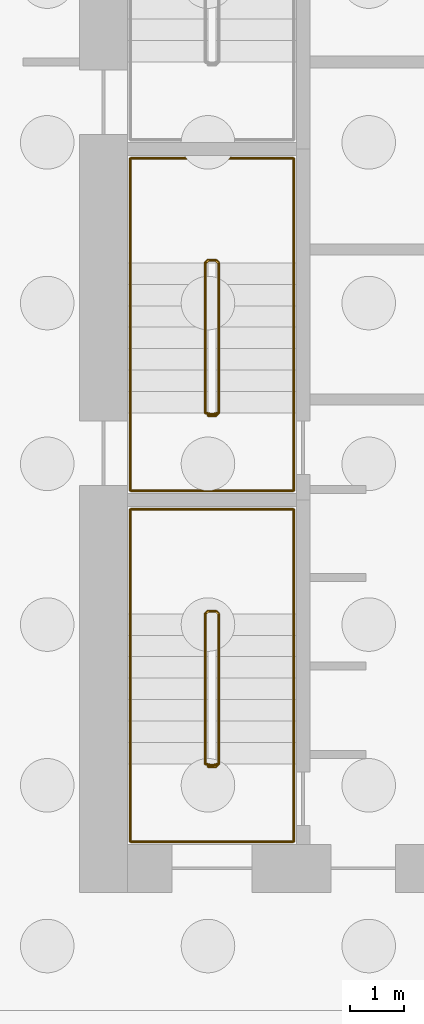
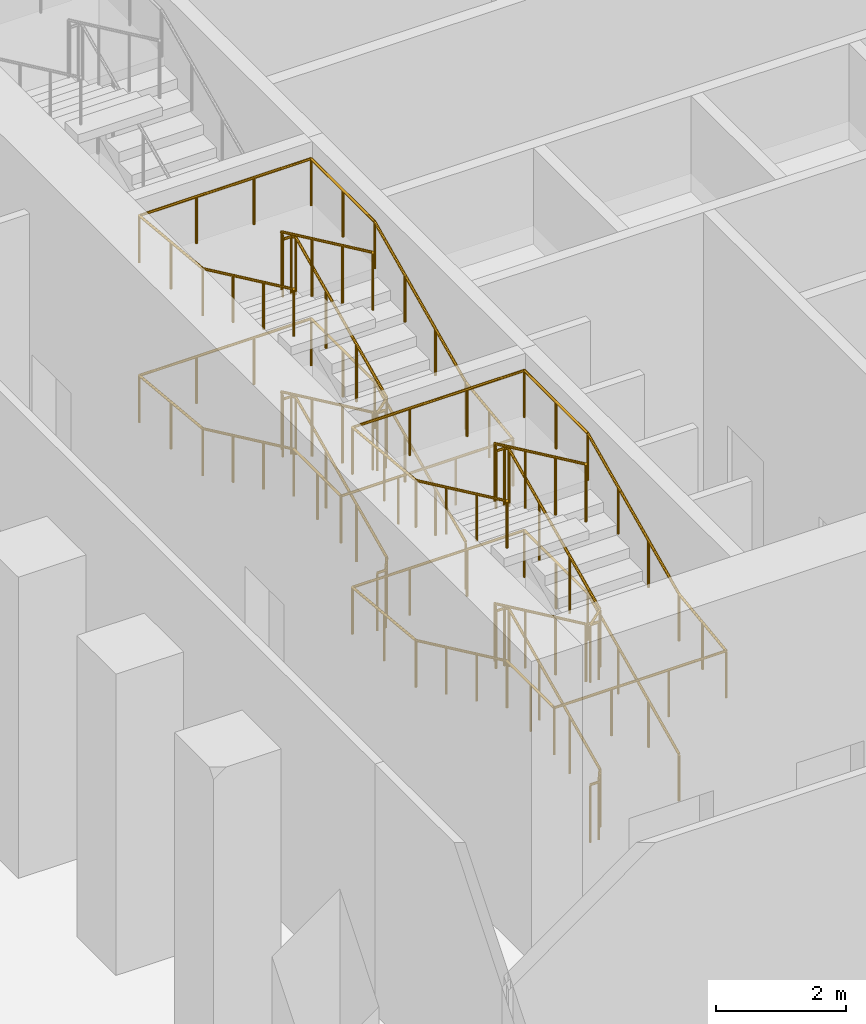
# One storey, part 13 of 16: 4 railings.
"""IFC4 building model written with IfcOpenShell, lengths in metres."""

from ifc_helpers import new_model, si_unit, direction, frame, origin, origin_2d, place, context, subcontext, project, spatial, circle, extrude, material, type_object, element, save


model = new_model("IFC4")

# Units and contexts
model_context = context("Model", 3, precision=1e-05, world=origin(), true_north=direction((0.0, 1.0)))
body_context = subcontext(model_context, "Body", "Model", "MODEL_VIEW")
ifc_project = project(units=[si_unit("LENGTHUNIT", "METRE"), si_unit("AREAUNIT", "SQUARE_METRE"), si_unit("VOLUMEUNIT", "CUBIC_METRE"), si_unit("PLANEANGLEUNIT", "RADIAN"), si_unit("MASSUNIT", "GRAM", prefix="KILO")], contexts=[model_context])

# Site, building, storey
site_placement = place(None, origin())
site = spatial("IfcSite", under=ifc_project, at=site_placement, CompositionType="ELEMENT")
building_placement = place(site_placement, origin())
building = spatial("IfcBuilding", under=site, at=building_placement, Name="Welwitschia Terrace Campus", CompositionType="ELEMENT")
storey_placement = place(building_placement, frame((0.0, 0.0, -6.0)))
storey = spatial("IfcBuildingStorey", under=building, at=storey_placement, Name="B1", CompositionType="ELEMENT", Elevation=-6.0)

# Railings
ifc_material_1 = material(Name="Steel S355", Category="steel")
railing_type_1 = type_object("IfcRailingType", Name="Stair guard 1100", PredefinedType="GUARDRAIL", material=ifc_material_1)
railing_1_placement = place(storey_placement, frame((7.5, 6.85009765625, 0.0)))
element("IfcRailing", 1, at=railing_1_placement, inside=storey, type_object=railing_type_1, Name="B1 S1 stair guard", PredefinedType="GUARDRAIL", context=body_context, shape_type="SweptSolid", body=[
    extrude(circle(Radius=0.02392578125, at=origin_2d()), frame((0.0, 0.0, 1.076171875), z_axis=(1.0, 0.0, 0.0), x_axis=(0.0, 1.0, 0.0)), (0.0, 0.0, 1.0), 0.14990234375),
    extrude(circle(Radius=0.02392578125, at=origin_2d()), frame((0.14990234375, 0.0, 1.076171875), z_axis=(0.249802250048, 0.248583702486, 0.935844527007), x_axis=(-0.705375805398, 0.708833529934, 0.0)), (0.0, 0.0, 1.0), 0.200439453125),
    extrude(circle(Radius=0.02392578125, at=origin_2d()), frame((0.199951171875, 0.0498046875, 1.263671875), z_axis=(0.0, 0.905461780365, 0.424427808112), x_axis=(-1.0, 0.0, 0.0)), (0.0, 0.0, 1.0), 3.09228515625),
    extrude(circle(Radius=0.02392578125, at=origin_2d()), frame((0.199951171875, 2.849853515625, 2.576171875), z_axis=(-0.707106781187, 0.707106781187, 0.0), x_axis=(-0.707106781187, -0.707106781187, 0.0)), (0.0, 0.0, 1.0), 0.07080078125),
    extrude(circle(Radius=0.02392578125, at=origin_2d()), frame((0.14990234375, 2.89990234375, 2.576171875), z_axis=(-1.0, 0.0, 0.0), x_axis=(0.0, -1.0, 0.0)), (0.0, 0.0, 1.0), 0.14990234375),
    extrude(circle(Radius=0.02392578125, at=origin_2d()), frame((0.0, 2.89990234375, 2.576171875), z_axis=(-0.249726431254, -0.249726431254, 0.935560483917), x_axis=(0.707106781187, -0.707106781187, 0.0)), (0.0, 0.0, 1.0), 0.200439453125),
    extrude(circle(Radius=0.02392578125, at=origin_2d()), frame((-0.050048828125, 2.849853515625, 2.763671875), z_axis=(0.0, -0.905461780365, 0.424427808112), x_axis=(1.0, 0.0, 0.0)), (0.0, 0.0, 1.0), 3.09228515625),
    extrude(circle(Radius=0.02392578125, at=origin_2d()), frame((-0.050048828125, 0.0498046875, 4.076171875), z_axis=(0.970351222016, -0.241699205484, 0.0), x_axis=(0.241699205484, 0.970351222016, 0.0)), (0.0, 0.0, 1.0), 0.2060546875),
    extrude(circle(Radius=0.02392578125, at=origin_2d()), frame((0.14990234375, 0.0, 4.076171875), z_axis=(-1.0, 0.0, 0.0), x_axis=(0.0, -1.0, 0.0)), (0.0, 0.0, 1.0), 0.14990234375),
    extrude(circle(Radius=0.02392578125, at=origin_2d()), frame((0.0, 0.0, 4.076171875), z_axis=(0.717703211385, 0.178768565473, 0.673011070017), x_axis=(-0.241699205484, 0.970351222016, 0.0)), (0.0, 0.0, 1.0), 0.278564453125),
    extrude(circle(Radius=0.02392578125, at=origin_2d()), frame((0.199951171875, 0.0498046875, 4.263671875), z_axis=(0.0, 0.905461780365, 0.424427808112), x_axis=(-1.0, 0.0, 0.0)), (0.0, 0.0, 1.0), 3.09228515625),
    extrude(circle(Radius=0.02392578125, at=origin_2d()), frame((0.199951171875, 2.849853515625, 5.576171875), z_axis=(-0.707106781187, 0.707106781187, 0.0), x_axis=(-0.707106781187, -0.707106781187, 0.0)), (0.0, 0.0, 1.0), 0.07080078125),
    extrude(circle(Radius=0.02392578125, at=origin_2d()), frame((0.14990234375, 2.89990234375, 5.576171875), z_axis=(-1.0, 0.0, 0.0), x_axis=(0.0, -1.0, 0.0)), (0.0, 0.0, 1.0), 0.14990234375),
    extrude(circle(Radius=0.02392578125, at=origin_2d()), frame((0.0, 2.89990234375, 5.576171875), z_axis=(-0.249726431254, -0.249726431254, 0.935560483917), x_axis=(0.707106781187, -0.707106781187, 0.0)), (0.0, 0.0, 1.0), 0.200439453125),
    extrude(circle(Radius=0.02392578125, at=origin_2d()), frame((-0.050048828125, 2.849853515625, 5.763671875), z_axis=(0.0, -0.905461780365, 0.424427808112), x_axis=(1.0, 0.0, 0.0)), (0.0, 0.0, 1.0), 3.09228515625),
    extrude(circle(Radius=0.02099609375, at=origin_2d()), origin(), (0.0, 0.0, 1.0), 1.052001953125),
    extrude(circle(Radius=0.02099609375, at=origin_2d()), frame((0.14990234375, 0.0, 0.0)), (0.0, 0.0, 1.0), 1.052001953125),
    extrude(circle(Radius=0.02099609375, at=origin_2d()), frame((0.199951171875, 0.0498046875, 0.1875)), (0.0, 0.0, 1.0), 1.052001953125),
    extrude(circle(Radius=0.02099609375, at=origin_2d()), frame((0.199951171875, 0.983154296875, 0.625)), (0.0, 0.0, 1.0), 1.052001953125),
    extrude(circle(Radius=0.02099609375, at=origin_2d()), frame((0.199951171875, 1.91650390625, 1.0625)), (0.0, 0.0, 1.0), 1.052001953125),
    extrude(circle(Radius=0.02099609375, at=origin_2d()), frame((0.199951171875, 2.849853515625, 1.5)), (0.0, 0.0, 1.0), 1.052001953125),
    extrude(circle(Radius=0.02099609375, at=origin_2d()), frame((0.14990234375, 2.89990234375, 1.5)), (0.0, 0.0, 1.0), 1.052001953125),
    extrude(circle(Radius=0.02099609375, at=origin_2d()), frame((0.0, 2.89990234375, 1.5)), (0.0, 0.0, 1.0), 1.052001953125),
    extrude(circle(Radius=0.02099609375, at=origin_2d()), frame((-0.050048828125, 2.849853515625, 1.6875)), (0.0, 0.0, 1.0), 1.052001953125),
    extrude(circle(Radius=0.02099609375, at=origin_2d()), frame((-0.050048828125, 1.91650390625, 2.125)), (0.0, 0.0, 1.0), 1.052001953125),
    extrude(circle(Radius=0.02099609375, at=origin_2d()), frame((-0.050048828125, 0.983154296875, 2.5625)), (0.0, 0.0, 1.0), 1.052001953125),
    extrude(circle(Radius=0.02099609375, at=origin_2d()), frame((-0.050048828125, 0.0498046875, 3.0)), (0.0, 0.0, 1.0), 1.052001953125),
    extrude(circle(Radius=0.02099609375, at=origin_2d()), frame((0.14990234375, 0.0, 3.0)), (0.0, 0.0, 1.0), 1.052001953125),
    extrude(circle(Radius=0.02099609375, at=origin_2d()), frame((0.0, 0.0, 3.0)), (0.0, 0.0, 1.0), 1.052001953125),
    extrude(circle(Radius=0.02099609375, at=origin_2d()), frame((0.199951171875, 0.0498046875, 3.1875)), (0.0, 0.0, 1.0), 1.052001953125),
    extrude(circle(Radius=0.02099609375, at=origin_2d()), frame((0.199951171875, 0.983154296875, 3.625)), (0.0, 0.0, 1.0), 1.052001953125),
    extrude(circle(Radius=0.02099609375, at=origin_2d()), frame((0.199951171875, 1.91650390625, 4.0625)), (0.0, 0.0, 1.0), 1.052001953125),
    extrude(circle(Radius=0.02099609375, at=origin_2d()), frame((0.199951171875, 2.849853515625, 4.5)), (0.0, 0.0, 1.0), 1.052001953125),
    extrude(circle(Radius=0.02099609375, at=origin_2d()), frame((0.14990234375, 2.89990234375, 4.5)), (0.0, 0.0, 1.0), 1.052001953125),
    extrude(circle(Radius=0.02099609375, at=origin_2d()), frame((0.0, 2.89990234375, 4.5)), (0.0, 0.0, 1.0), 1.052001953125),
    extrude(circle(Radius=0.02099609375, at=origin_2d()), frame((-0.050048828125, 2.849853515625, 4.6875)), (0.0, 0.0, 1.0), 1.052001953125),
    extrude(circle(Radius=0.02099609375, at=origin_2d()), frame((-0.050048828125, 1.91650390625, 5.125)), (0.0, 0.0, 1.0), 1.052001953125),
    extrude(circle(Radius=0.02099609375, at=origin_2d()), frame((-0.050048828125, 0.983154296875, 5.5625)), (0.0, 0.0, 1.0), 1.052001953125),
    extrude(circle(Radius=0.02099609375, at=origin_2d()), frame((-0.050048828125, 0.0498046875, 6.0)), (0.0, 0.0, 1.0), 1.052001953125),
])
railing_2_placement = place(storey_placement, frame((7.5, 13.39990234375, 0.0)))
element("IfcRailing", 2, at=railing_2_placement, inside=storey, type_object=railing_type_1, Name="B1 S3 stair guard", PredefinedType="GUARDRAIL", context=body_context, shape_type="SweptSolid", body=[
    extrude(circle(Radius=0.02392578125, at=origin_2d()), frame((0.0, 0.0, 1.076171875), z_axis=(1.0, 0.0, 0.0), x_axis=(0.0, 1.0, 0.0)), (0.0, 0.0, 1.0), 0.14990234375),
    extrude(circle(Radius=0.02392578125, at=origin_2d()), frame((0.14990234375, 0.0, 1.076171875), z_axis=(0.249726431254, 0.249726431254, 0.935560483917), x_axis=(-0.707106781187, 0.707106781187, 0.0)), (0.0, 0.0, 1.0), 0.200439453125),
    extrude(circle(Radius=0.02392578125, at=origin_2d()), frame((0.199951171875, 0.050048828125, 1.263671875), z_axis=(0.0, 0.905461780365, 0.424427808112), x_axis=(-1.0, 0.0, 0.0)), (0.0, 0.0, 1.0), 3.09228515625),
    extrude(circle(Radius=0.02392578125, at=origin_2d()), frame((0.199951171875, 2.85009765625, 2.576171875), z_axis=(-0.707106781187, 0.707106781187, 0.0), x_axis=(-0.707106781187, -0.707106781187, 0.0)), (0.0, 0.0, 1.0), 0.07080078125),
    extrude(circle(Radius=0.02392578125, at=origin_2d()), frame((0.14990234375, 2.900146484375, 2.576171875), z_axis=(-1.0, 0.0, 0.0), x_axis=(0.0, -1.0, 0.0)), (0.0, 0.0, 1.0), 0.14990234375),
    extrude(circle(Radius=0.02392578125, at=origin_2d()), frame((0.0, 2.900146484375, 2.576171875), z_axis=(-0.249726431254, -0.249726431254, 0.935560483917), x_axis=(0.707106781187, -0.707106781187, 0.0)), (0.0, 0.0, 1.0), 0.200439453125),
    extrude(circle(Radius=0.02392578125, at=origin_2d()), frame((-0.050048828125, 2.85009765625, 2.763671875), z_axis=(0.0, -0.905461780365, 0.424427808112), x_axis=(1.0, 0.0, 0.0)), (0.0, 0.0, 1.0), 3.09228515625),
    extrude(circle(Radius=0.02392578125, at=origin_2d()), frame((-0.050048828125, 0.050048828125, 4.076171875), z_axis=(0.970072785993, -0.242814311512, 0.0), x_axis=(0.242814311512, 0.970072785993, 0.0)), (0.0, 0.0, 1.0), 0.2060546875),
    extrude(circle(Radius=0.02392578125, at=origin_2d()), frame((0.14990234375, 0.0, 4.076171875), z_axis=(-1.0, 0.0, 0.0), x_axis=(0.0, -1.0, 0.0)), (0.0, 0.0, 1.0), 0.14990234375),
    extrude(circle(Radius=0.02392578125, at=origin_2d()), frame((0.0, 0.0, 4.076171875), z_axis=(0.717590528518, 0.179616676857, 0.672905404032), x_axis=(-0.242814311512, 0.970072785993, 0.0)), (0.0, 0.0, 1.0), 0.278564453125),
    extrude(circle(Radius=0.02392578125, at=origin_2d()), frame((0.199951171875, 0.050048828125, 4.263671875), z_axis=(0.0, 0.905461780365, 0.424427808112), x_axis=(-1.0, 0.0, 0.0)), (0.0, 0.0, 1.0), 3.09228515625),
    extrude(circle(Radius=0.02392578125, at=origin_2d()), frame((0.199951171875, 2.85009765625, 5.576171875), z_axis=(-0.707106781187, 0.707106781187, 0.0), x_axis=(-0.707106781187, -0.707106781187, 0.0)), (0.0, 0.0, 1.0), 0.07080078125),
    extrude(circle(Radius=0.02392578125, at=origin_2d()), frame((0.14990234375, 2.900146484375, 5.576171875), z_axis=(-1.0, 0.0, 0.0), x_axis=(0.0, -1.0, 0.0)), (0.0, 0.0, 1.0), 0.14990234375),
    extrude(circle(Radius=0.02392578125, at=origin_2d()), frame((0.0, 2.900146484375, 5.576171875), z_axis=(-0.249726431254, -0.249726431254, 0.935560483917), x_axis=(0.707106781187, -0.707106781187, 0.0)), (0.0, 0.0, 1.0), 0.200439453125),
    extrude(circle(Radius=0.02392578125, at=origin_2d()), frame((-0.050048828125, 2.85009765625, 5.763671875), z_axis=(0.0, -0.905461780365, 0.424427808112), x_axis=(1.0, 0.0, 0.0)), (0.0, 0.0, 1.0), 3.09228515625),
    extrude(circle(Radius=0.02099609375, at=origin_2d()), origin(), (0.0, 0.0, 1.0), 1.052001953125),
    extrude(circle(Radius=0.02099609375, at=origin_2d()), frame((0.14990234375, 0.0, 0.0)), (0.0, 0.0, 1.0), 1.052001953125),
    extrude(circle(Radius=0.02099609375, at=origin_2d()), frame((0.199951171875, 0.050048828125, 0.1875)), (0.0, 0.0, 1.0), 1.052001953125),
    extrude(circle(Radius=0.02099609375, at=origin_2d()), frame((0.199951171875, 0.9833984375, 0.625)), (0.0, 0.0, 1.0), 1.052001953125),
    extrude(circle(Radius=0.02099609375, at=origin_2d()), frame((0.199951171875, 1.916748046875, 1.0625)), (0.0, 0.0, 1.0), 1.052001953125),
    extrude(circle(Radius=0.02099609375, at=origin_2d()), frame((0.199951171875, 2.85009765625, 1.5)), (0.0, 0.0, 1.0), 1.052001953125),
    extrude(circle(Radius=0.02099609375, at=origin_2d()), frame((0.14990234375, 2.900146484375, 1.5)), (0.0, 0.0, 1.0), 1.052001953125),
    extrude(circle(Radius=0.02099609375, at=origin_2d()), frame((0.0, 2.900146484375, 1.5)), (0.0, 0.0, 1.0), 1.052001953125),
    extrude(circle(Radius=0.02099609375, at=origin_2d()), frame((-0.050048828125, 2.85009765625, 1.6875)), (0.0, 0.0, 1.0), 1.052001953125),
    extrude(circle(Radius=0.02099609375, at=origin_2d()), frame((-0.050048828125, 1.916748046875, 2.125)), (0.0, 0.0, 1.0), 1.052001953125),
    extrude(circle(Radius=0.02099609375, at=origin_2d()), frame((-0.050048828125, 0.9833984375, 2.5625)), (0.0, 0.0, 1.0), 1.052001953125),
    extrude(circle(Radius=0.02099609375, at=origin_2d()), frame((-0.050048828125, 0.050048828125, 3.0)), (0.0, 0.0, 1.0), 1.052001953125),
    extrude(circle(Radius=0.02099609375, at=origin_2d()), frame((0.14990234375, 0.0, 3.0)), (0.0, 0.0, 1.0), 1.052001953125),
    extrude(circle(Radius=0.02099609375, at=origin_2d()), frame((0.0, 0.0, 3.0)), (0.0, 0.0, 1.0), 1.052001953125),
    extrude(circle(Radius=0.02099609375, at=origin_2d()), frame((0.199951171875, 0.050048828125, 3.1875)), (0.0, 0.0, 1.0), 1.052001953125),
    extrude(circle(Radius=0.02099609375, at=origin_2d()), frame((0.199951171875, 0.9833984375, 3.625)), (0.0, 0.0, 1.0), 1.052001953125),
    extrude(circle(Radius=0.02099609375, at=origin_2d()), frame((0.199951171875, 1.916748046875, 4.0625)), (0.0, 0.0, 1.0), 1.052001953125),
    extrude(circle(Radius=0.02099609375, at=origin_2d()), frame((0.199951171875, 2.85009765625, 4.5)), (0.0, 0.0, 1.0), 1.052001953125),
    extrude(circle(Radius=0.02099609375, at=origin_2d()), frame((0.14990234375, 2.900146484375, 4.5)), (0.0, 0.0, 1.0), 1.052001953125),
    extrude(circle(Radius=0.02099609375, at=origin_2d()), frame((0.0, 2.900146484375, 4.5)), (0.0, 0.0, 1.0), 1.052001953125),
    extrude(circle(Radius=0.02099609375, at=origin_2d()), frame((-0.050048828125, 2.85009765625, 4.6875)), (0.0, 0.0, 1.0), 1.052001953125),
    extrude(circle(Radius=0.02099609375, at=origin_2d()), frame((-0.050048828125, 1.916748046875, 5.125)), (0.0, 0.0, 1.0), 1.052001953125),
    extrude(circle(Radius=0.02099609375, at=origin_2d()), frame((-0.050048828125, 0.9833984375, 5.5625)), (0.0, 0.0, 1.0), 1.052001953125),
    extrude(circle(Radius=0.02099609375, at=origin_2d()), frame((-0.050048828125, 0.050048828125, 6.0)), (0.0, 0.0, 1.0), 1.052001953125),
])
ifc_material_2 = material(Name="Steel S355", Category="steel")
railing_type_2 = type_object("IfcRailingType", Name="Stair handrail 900", PredefinedType="HANDRAIL", material=ifc_material_2)
railing_3_placement = place(storey_placement, frame((9.10009765625, 6.89990234375, 0.1875)))
element("IfcRailing", 3, at=railing_3_placement, inside=storey, type_object=railing_type_2, Name="B1 S1 stair handrail", PredefinedType="HANDRAIL", context=body_context, shape_type="SweptSolid", body=[
    extrude(circle(Radius=0.02392578125, at=origin_2d()), frame((0.0, 0.0, 0.8759765625), z_axis=(0.0, 0.905461780365, 0.424427808112), x_axis=(-1.0, 0.0, 0.0)), (0.0, 0.0, 1.0), 3.09228515625),
    extrude(circle(Radius=0.02392578125, at=origin_2d()), frame((0.0, 2.800048828125, 2.1884765625), z_axis=(0.0, 1.0, 0.0), x_axis=(-1.0, 0.0, 0.0)), (0.0, 0.0, 1.0), 1.949951171875),
    extrude(circle(Radius=0.02392578125, at=origin_2d()), frame((0.0, 4.75, 2.1884765625), z_axis=(-1.0, 0.0, 0.0), x_axis=(0.0, -1.0, 0.0)), (0.0, 0.0, 1.0), 3.050048828125),
    extrude(circle(Radius=0.02392578125, at=origin_2d()), frame((-3.050048828125, 4.75, 2.1884765625), z_axis=(0.0, -0.995408800756, 0.095714781392), x_axis=(1.0, 0.0, 0.0)), (0.0, 0.0, 1.0), 1.958984375),
    extrude(circle(Radius=0.02392578125, at=origin_2d()), frame((-3.050048828125, 2.800048828125, 2.3759765625), z_axis=(0.0, -0.905461780365, 0.424427808112), x_axis=(1.0, 0.0, 0.0)), (0.0, 0.0, 1.0), 3.09228515625),
    extrude(circle(Radius=0.02392578125, at=origin_2d()), frame((-3.050048828125, 0.0, 3.6884765625), z_axis=(0.0, -1.0, 0.0), x_axis=(1.0, 0.0, 0.0)), (0.0, 0.0, 1.0), 1.449951171875),
    extrude(circle(Radius=0.02392578125, at=origin_2d()), frame((-3.050048828125, -1.449951171875, 3.6884765625), z_axis=(1.0, 0.0, 0.0), x_axis=(0.0, 1.0, 0.0)), (0.0, 0.0, 1.0), 3.050048828125),
    extrude(circle(Radius=0.02392578125, at=origin_2d()), frame((0.0, -1.449951171875, 3.6884765625), z_axis=(0.0, 0.991742277163, 0.128246854498), x_axis=(-1.0, 0.0, 0.0)), (0.0, 0.0, 1.0), 1.4619140625),
    extrude(circle(Radius=0.02392578125, at=origin_2d()), frame((0.0, 0.0, 3.8759765625), z_axis=(0.0, 0.905461780365, 0.424427808112), x_axis=(-1.0, 0.0, 0.0)), (0.0, 0.0, 1.0), 3.09228515625),
    extrude(circle(Radius=0.02392578125, at=origin_2d()), frame((0.0, 2.800048828125, 5.1884765625), z_axis=(0.0, 1.0, 0.0), x_axis=(-1.0, 0.0, 0.0)), (0.0, 0.0, 1.0), 1.949951171875),
    extrude(circle(Radius=0.02392578125, at=origin_2d()), frame((0.0, 4.75, 5.1884765625), z_axis=(-1.0, 0.0, 0.0), x_axis=(0.0, -1.0, 0.0)), (0.0, 0.0, 1.0), 3.050048828125),
    extrude(circle(Radius=0.02392578125, at=origin_2d()), frame((-3.050048828125, 4.75, 5.1884765625), z_axis=(0.0, -0.995408800756, 0.095714781392), x_axis=(1.0, 0.0, 0.0)), (0.0, 0.0, 1.0), 1.958984375),
    extrude(circle(Radius=0.02392578125, at=origin_2d()), frame((-3.050048828125, 2.800048828125, 5.3759765625), z_axis=(0.0, -0.905461780365, 0.424427808112), x_axis=(1.0, 0.0, 0.0)), (0.0, 0.0, 1.0), 3.09228515625),
    extrude(circle(Radius=0.02099609375, at=origin_2d()), origin(), (0.0, 0.0, 1.0), 0.851806640625),
    extrude(circle(Radius=0.02099609375, at=origin_2d()), frame((0.0, 0.933349609375, 0.4375)), (0.0, 0.0, 1.0), 0.851806640625),
    extrude(circle(Radius=0.02099609375, at=origin_2d()), frame((0.0, 1.86669921875, 0.875)), (0.0, 0.0, 1.0), 0.851806640625),
    extrude(circle(Radius=0.02099609375, at=origin_2d()), frame((0.0, 2.800048828125, 1.3125)), (0.0, 0.0, 1.0), 0.851806640625),
    extrude(circle(Radius=0.02099609375, at=origin_2d()), frame((0.0, 3.77490234375, 1.3125)), (0.0, 0.0, 1.0), 0.851806640625),
    extrude(circle(Radius=0.02099609375, at=origin_2d()), frame((0.0, 4.75, 1.3125)), (0.0, 0.0, 1.0), 0.851806640625),
    extrude(circle(Radius=0.02099609375, at=origin_2d()), frame((-1.0166015625, 4.75, 1.3125)), (0.0, 0.0, 1.0), 0.851806640625),
    extrude(circle(Radius=0.02099609375, at=origin_2d()), frame((-2.033447265625, 4.75, 1.3125)), (0.0, 0.0, 1.0), 0.851806640625),
    extrude(circle(Radius=0.02099609375, at=origin_2d()), frame((-3.050048828125, 4.75, 1.3125)), (0.0, 0.0, 1.0), 0.851806640625),
    extrude(circle(Radius=0.02099609375, at=origin_2d()), frame((-3.050048828125, 3.77490234375, 1.40625)), (0.0, 0.0, 1.0), 0.851806640625),
    extrude(circle(Radius=0.02099609375, at=origin_2d()), frame((-3.050048828125, 2.800048828125, 1.5)), (0.0, 0.0, 1.0), 0.851806640625),
    extrude(circle(Radius=0.02099609375, at=origin_2d()), frame((-3.050048828125, 1.86669921875, 1.9375)), (0.0, 0.0, 1.0), 0.851806640625),
    extrude(circle(Radius=0.02099609375, at=origin_2d()), frame((-3.050048828125, 0.933349609375, 2.375)), (0.0, 0.0, 1.0), 0.851806640625),
    extrude(circle(Radius=0.02099609375, at=origin_2d()), frame((-3.050048828125, 0.0, 2.8125)), (0.0, 0.0, 1.0), 0.851806640625),
    extrude(circle(Radius=0.02099609375, at=origin_2d()), frame((-3.050048828125, -0.72509765625, 2.8125)), (0.0, 0.0, 1.0), 0.851806640625),
    extrude(circle(Radius=0.02099609375, at=origin_2d()), frame((-3.050048828125, -1.449951171875, 2.8125)), (0.0, 0.0, 1.0), 0.851806640625),
    extrude(circle(Radius=0.02099609375, at=origin_2d()), frame((-2.033447265625, -1.449951171875, 2.8125)), (0.0, 0.0, 1.0), 0.851806640625),
    extrude(circle(Radius=0.02099609375, at=origin_2d()), frame((-1.0166015625, -1.449951171875, 2.8125)), (0.0, 0.0, 1.0), 0.851806640625),
    extrude(circle(Radius=0.02099609375, at=origin_2d()), frame((0.0, -1.449951171875, 2.8125)), (0.0, 0.0, 1.0), 0.851806640625),
    extrude(circle(Radius=0.02099609375, at=origin_2d()), frame((0.0, -0.72509765625, 2.90625)), (0.0, 0.0, 1.0), 0.851806640625),
    extrude(circle(Radius=0.02099609375, at=origin_2d()), frame((0.0, 0.0, 3.0)), (0.0, 0.0, 1.0), 0.851806640625),
    extrude(circle(Radius=0.02099609375, at=origin_2d()), frame((0.0, 0.933349609375, 3.4375)), (0.0, 0.0, 1.0), 0.851806640625),
    extrude(circle(Radius=0.02099609375, at=origin_2d()), frame((0.0, 1.86669921875, 3.875)), (0.0, 0.0, 1.0), 0.851806640625),
    extrude(circle(Radius=0.02099609375, at=origin_2d()), frame((0.0, 2.800048828125, 4.3125)), (0.0, 0.0, 1.0), 0.851806640625),
    extrude(circle(Radius=0.02099609375, at=origin_2d()), frame((0.0, 3.77490234375, 4.3125)), (0.0, 0.0, 1.0), 0.851806640625),
    extrude(circle(Radius=0.02099609375, at=origin_2d()), frame((0.0, 4.75, 4.3125)), (0.0, 0.0, 1.0), 0.851806640625),
    extrude(circle(Radius=0.02099609375, at=origin_2d()), frame((-1.0166015625, 4.75, 4.3125)), (0.0, 0.0, 1.0), 0.851806640625),
    extrude(circle(Radius=0.02099609375, at=origin_2d()), frame((-2.033447265625, 4.75, 4.3125)), (0.0, 0.0, 1.0), 0.851806640625),
    extrude(circle(Radius=0.02099609375, at=origin_2d()), frame((-3.050048828125, 4.75, 4.3125)), (0.0, 0.0, 1.0), 0.851806640625),
    extrude(circle(Radius=0.02099609375, at=origin_2d()), frame((-3.050048828125, 3.77490234375, 4.40625)), (0.0, 0.0, 1.0), 0.851806640625),
    extrude(circle(Radius=0.02099609375, at=origin_2d()), frame((-3.050048828125, 2.800048828125, 4.5)), (0.0, 0.0, 1.0), 0.851806640625),
    extrude(circle(Radius=0.02099609375, at=origin_2d()), frame((-3.050048828125, 1.86669921875, 4.9375)), (0.0, 0.0, 1.0), 0.851806640625),
    extrude(circle(Radius=0.02099609375, at=origin_2d()), frame((-3.050048828125, 0.933349609375, 5.375)), (0.0, 0.0, 1.0), 0.851806640625),
    extrude(circle(Radius=0.02099609375, at=origin_2d()), frame((-3.050048828125, 0.0, 5.8125)), (0.0, 0.0, 1.0), 0.851806640625),
])
railing_4_placement = place(storey_placement, frame((9.10009765625, 13.449951171875, 0.1875)))
element("IfcRailing", 4, at=railing_4_placement, inside=storey, type_object=railing_type_2, Name="B1 S3 stair handrail", PredefinedType="HANDRAIL", context=body_context, shape_type="SweptSolid", body=[
    extrude(circle(Radius=0.02392578125, at=origin_2d()), frame((0.0, 0.0, 0.8759765625), z_axis=(0.0, 0.905461780365, 0.424427808112), x_axis=(-1.0, 0.0, 0.0)), (0.0, 0.0, 1.0), 3.09228515625),
    extrude(circle(Radius=0.02392578125, at=origin_2d()), frame((0.0, 2.800048828125, 2.1884765625), z_axis=(0.0, 1.0, 0.0), x_axis=(-1.0, 0.0, 0.0)), (0.0, 0.0, 1.0), 1.949951171875),
    extrude(circle(Radius=0.02392578125, at=origin_2d()), frame((0.0, 4.75, 2.1884765625), z_axis=(-1.0, 0.0, 0.0), x_axis=(0.0, -1.0, 0.0)), (0.0, 0.0, 1.0), 3.050048828125),
    extrude(circle(Radius=0.02392578125, at=origin_2d()), frame((-3.050048828125, 4.75, 2.1884765625), z_axis=(0.0, -0.995408800756, 0.095714781392), x_axis=(1.0, 0.0, 0.0)), (0.0, 0.0, 1.0), 1.958984375),
    extrude(circle(Radius=0.02392578125, at=origin_2d()), frame((-3.050048828125, 2.800048828125, 2.3759765625), z_axis=(0.0, -0.905461780365, 0.424427808112), x_axis=(1.0, 0.0, 0.0)), (0.0, 0.0, 1.0), 3.09228515625),
    extrude(circle(Radius=0.02392578125, at=origin_2d()), frame((-3.050048828125, 0.0, 3.6884765625), z_axis=(0.0, -1.0, 0.0), x_axis=(1.0, 0.0, 0.0)), (0.0, 0.0, 1.0), 1.449951171875),
    extrude(circle(Radius=0.02392578125, at=origin_2d()), frame((-3.050048828125, -1.449951171875, 3.6884765625), z_axis=(1.0, 0.0, 0.0), x_axis=(0.0, 1.0, 0.0)), (0.0, 0.0, 1.0), 3.050048828125),
    extrude(circle(Radius=0.02392578125, at=origin_2d()), frame((0.0, -1.449951171875, 3.6884765625), z_axis=(0.0, 0.991742277163, 0.128246854498), x_axis=(-1.0, 0.0, 0.0)), (0.0, 0.0, 1.0), 1.4619140625),
    extrude(circle(Radius=0.02392578125, at=origin_2d()), frame((0.0, 0.0, 3.8759765625), z_axis=(0.0, 0.905461780365, 0.424427808112), x_axis=(-1.0, 0.0, 0.0)), (0.0, 0.0, 1.0), 3.09228515625),
    extrude(circle(Radius=0.02392578125, at=origin_2d()), frame((0.0, 2.800048828125, 5.1884765625), z_axis=(0.0, 1.0, 0.0), x_axis=(-1.0, 0.0, 0.0)), (0.0, 0.0, 1.0), 1.949951171875),
    extrude(circle(Radius=0.02392578125, at=origin_2d()), frame((0.0, 4.75, 5.1884765625), z_axis=(-1.0, 0.0, 0.0), x_axis=(0.0, -1.0, 0.0)), (0.0, 0.0, 1.0), 3.050048828125),
    extrude(circle(Radius=0.02392578125, at=origin_2d()), frame((-3.050048828125, 4.75, 5.1884765625), z_axis=(0.0, -0.995408800756, 0.095714781392), x_axis=(1.0, 0.0, 0.0)), (0.0, 0.0, 1.0), 1.958984375),
    extrude(circle(Radius=0.02392578125, at=origin_2d()), frame((-3.050048828125, 2.800048828125, 5.3759765625), z_axis=(0.0, -0.905461780365, 0.424427808112), x_axis=(1.0, 0.0, 0.0)), (0.0, 0.0, 1.0), 3.09228515625),
    extrude(circle(Radius=0.02099609375, at=origin_2d()), origin(), (0.0, 0.0, 1.0), 0.851806640625),
    extrude(circle(Radius=0.02099609375, at=origin_2d()), frame((0.0, 0.933349609375, 0.4375)), (0.0, 0.0, 1.0), 0.851806640625),
    extrude(circle(Radius=0.02099609375, at=origin_2d()), frame((0.0, 1.86669921875, 0.875)), (0.0, 0.0, 1.0), 0.851806640625),
    extrude(circle(Radius=0.02099609375, at=origin_2d()), frame((0.0, 2.800048828125, 1.3125)), (0.0, 0.0, 1.0), 0.851806640625),
    extrude(circle(Radius=0.02099609375, at=origin_2d()), frame((0.0, 3.77490234375, 1.3125)), (0.0, 0.0, 1.0), 0.851806640625),
    extrude(circle(Radius=0.02099609375, at=origin_2d()), frame((0.0, 4.75, 1.3125)), (0.0, 0.0, 1.0), 0.851806640625),
    extrude(circle(Radius=0.02099609375, at=origin_2d()), frame((-1.0166015625, 4.75, 1.3125)), (0.0, 0.0, 1.0), 0.851806640625),
    extrude(circle(Radius=0.02099609375, at=origin_2d()), frame((-2.033447265625, 4.75, 1.3125)), (0.0, 0.0, 1.0), 0.851806640625),
    extrude(circle(Radius=0.02099609375, at=origin_2d()), frame((-3.050048828125, 4.75, 1.3125)), (0.0, 0.0, 1.0), 0.851806640625),
    extrude(circle(Radius=0.02099609375, at=origin_2d()), frame((-3.050048828125, 3.77490234375, 1.40625)), (0.0, 0.0, 1.0), 0.851806640625),
    extrude(circle(Radius=0.02099609375, at=origin_2d()), frame((-3.050048828125, 2.800048828125, 1.5)), (0.0, 0.0, 1.0), 0.851806640625),
    extrude(circle(Radius=0.02099609375, at=origin_2d()), frame((-3.050048828125, 1.86669921875, 1.9375)), (0.0, 0.0, 1.0), 0.851806640625),
    extrude(circle(Radius=0.02099609375, at=origin_2d()), frame((-3.050048828125, 0.933349609375, 2.375)), (0.0, 0.0, 1.0), 0.851806640625),
    extrude(circle(Radius=0.02099609375, at=origin_2d()), frame((-3.050048828125, 0.0, 2.8125)), (0.0, 0.0, 1.0), 0.851806640625),
    extrude(circle(Radius=0.02099609375, at=origin_2d()), frame((-3.050048828125, -0.72509765625, 2.8125)), (0.0, 0.0, 1.0), 0.851806640625),
    extrude(circle(Radius=0.02099609375, at=origin_2d()), frame((-3.050048828125, -1.449951171875, 2.8125)), (0.0, 0.0, 1.0), 0.851806640625),
    extrude(circle(Radius=0.02099609375, at=origin_2d()), frame((-2.033447265625, -1.449951171875, 2.8125)), (0.0, 0.0, 1.0), 0.851806640625),
    extrude(circle(Radius=0.02099609375, at=origin_2d()), frame((-1.0166015625, -1.449951171875, 2.8125)), (0.0, 0.0, 1.0), 0.851806640625),
    extrude(circle(Radius=0.02099609375, at=origin_2d()), frame((0.0, -1.449951171875, 2.8125)), (0.0, 0.0, 1.0), 0.851806640625),
    extrude(circle(Radius=0.02099609375, at=origin_2d()), frame((0.0, -0.72509765625, 2.90625)), (0.0, 0.0, 1.0), 0.851806640625),
    extrude(circle(Radius=0.02099609375, at=origin_2d()), frame((0.0, 0.0, 3.0)), (0.0, 0.0, 1.0), 0.851806640625),
    extrude(circle(Radius=0.02099609375, at=origin_2d()), frame((0.0, 0.933349609375, 3.4375)), (0.0, 0.0, 1.0), 0.851806640625),
    extrude(circle(Radius=0.02099609375, at=origin_2d()), frame((0.0, 1.86669921875, 3.875)), (0.0, 0.0, 1.0), 0.851806640625),
    extrude(circle(Radius=0.02099609375, at=origin_2d()), frame((0.0, 2.800048828125, 4.3125)), (0.0, 0.0, 1.0), 0.851806640625),
    extrude(circle(Radius=0.02099609375, at=origin_2d()), frame((0.0, 3.77490234375, 4.3125)), (0.0, 0.0, 1.0), 0.851806640625),
    extrude(circle(Radius=0.02099609375, at=origin_2d()), frame((0.0, 4.75, 4.3125)), (0.0, 0.0, 1.0), 0.851806640625),
    extrude(circle(Radius=0.02099609375, at=origin_2d()), frame((-1.0166015625, 4.75, 4.3125)), (0.0, 0.0, 1.0), 0.851806640625),
    extrude(circle(Radius=0.02099609375, at=origin_2d()), frame((-2.033447265625, 4.75, 4.3125)), (0.0, 0.0, 1.0), 0.851806640625),
    extrude(circle(Radius=0.02099609375, at=origin_2d()), frame((-3.050048828125, 4.75, 4.3125)), (0.0, 0.0, 1.0), 0.851806640625),
    extrude(circle(Radius=0.02099609375, at=origin_2d()), frame((-3.050048828125, 3.77490234375, 4.40625)), (0.0, 0.0, 1.0), 0.851806640625),
    extrude(circle(Radius=0.02099609375, at=origin_2d()), frame((-3.050048828125, 2.800048828125, 4.5)), (0.0, 0.0, 1.0), 0.851806640625),
    extrude(circle(Radius=0.02099609375, at=origin_2d()), frame((-3.050048828125, 1.86669921875, 4.9375)), (0.0, 0.0, 1.0), 0.851806640625),
    extrude(circle(Radius=0.02099609375, at=origin_2d()), frame((-3.050048828125, 0.933349609375, 5.375)), (0.0, 0.0, 1.0), 0.851806640625),
    extrude(circle(Radius=0.02099609375, at=origin_2d()), frame((-3.050048828125, 0.0, 5.8125)), (0.0, 0.0, 1.0), 0.851806640625),
])

save(model, "model.ifc")
